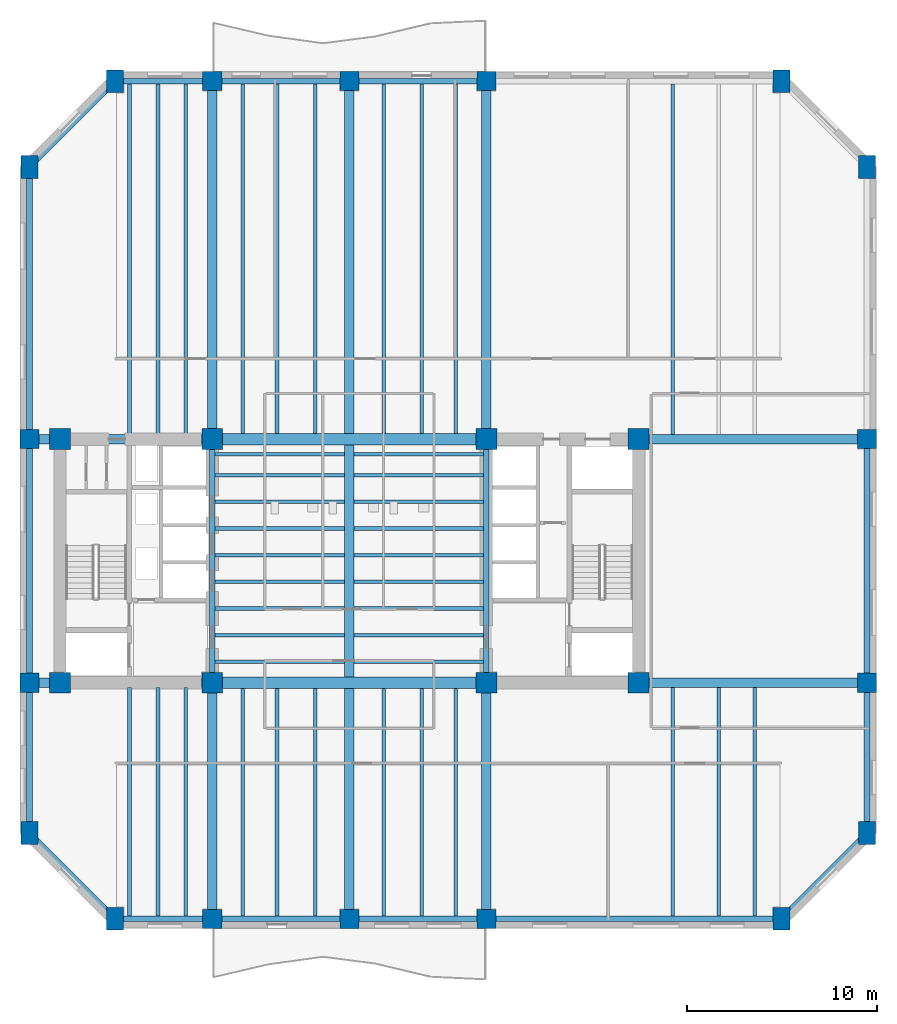
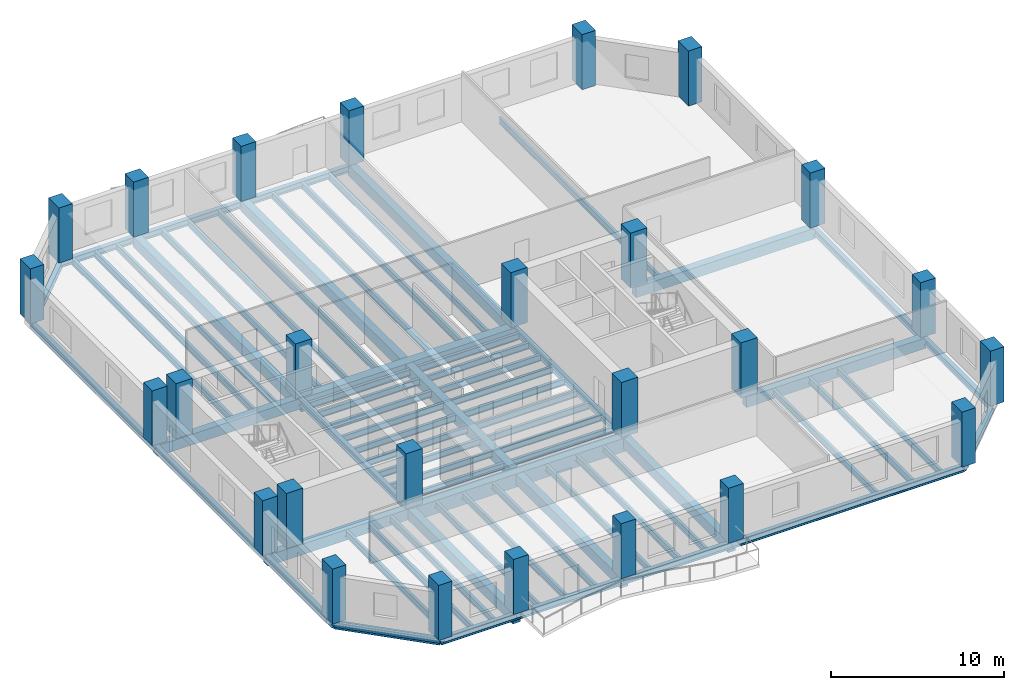
# One storey, part 1 of 8: 70 beams, 26 columns.
"""IFC4 building model written with IfcOpenShell, lengths in metres."""

import ifcopenshell
import ifcopenshell.guid

model = None  # the IFC model being written
_history = None  # IfcOwnerHistory: only IFC2X3 demands one
_inside = {}  # id of a spatial element -> (the spatial element, [elements in it])
_under = {}  # id of a project, library or spatial element -> (it, [spatial elements below it])
_declared = {}  # id of a project -> (the project, [libraries it declares])
_typed = {}  # id of a type object -> (the type object, [elements of that type])
_made_of = {}  # id of a material, layer set ... -> (it, [elements and type objects made of it])


def new_model(schema):
    """Start an empty IFC model of exactly this schema.

    Asked for "IFC4X3", IfcOpenShell would pick the latest addendum, in which some entities
    have other attributes; the version numbers below select the first issue.
    IFC2X3 requires an IfcOwnerHistory on every rooted entity: one is made here for all.
    """
    global model, _history
    if schema == "IFC4X3":
        model = ifcopenshell.file(schema_version=(4, 3, 0, 0))
    else:
        model = ifcopenshell.file(schema=schema)
    _inside.clear()
    _under.clear()
    _declared.clear()
    _typed.clear()
    _made_of.clear()
    _history = None
    if model.schema == "IFC2X3":
        org = make("IfcOrganization", Name="unknown")
        user = make(
            "IfcPersonAndOrganization",
            ThePerson=make("IfcPerson", FamilyName="unknown"),
            TheOrganization=org,
        )
        app = make(
            "IfcApplication",
            ApplicationDeveloper=org,
            Version="unknown",
            ApplicationFullName="unknown",
            ApplicationIdentifier="unknown",
        )
        _history = make(
            "IfcOwnerHistory",
            OwningUser=user,
            OwningApplication=app,
            ChangeAction="ADDED",
            CreationDate=0,
        )
    return model


def make(cls, **values):
    """One entity of the class cls with the attributes given. An attribute that is None is left unset."""
    return model.create_entity(
        cls, **{name: value for name, value in values.items() if value is not None}
    )


def rooted(cls, **values):
    """An entity with a GlobalId (a new one), such as an element, a storey or a relation."""
    return make(cls, GlobalId=ifcopenshell.guid.new(), OwnerHistory=_history, **values)


def si_unit(unit_type, name, prefix=None):
    """IfcSIUnit, for example si_unit("LENGTHUNIT", "METRE", prefix="MILLI")."""
    return make("IfcSIUnit", UnitType=unit_type, Prefix=prefix, Name=name)


def assignment(units):
    """IfcUnitAssignment: the units of a project."""
    return None if units is None else make("IfcUnitAssignment", Units=units)


def point(xyz):
    """IfcCartesianPoint."""
    return None if xyz is None else make("IfcCartesianPoint", Coordinates=xyz)


def direction(xyz):
    """IfcDirection."""
    return None if xyz is None else make("IfcDirection", DirectionRatios=xyz)


def frame(location, z_axis=None, x_axis=None):
    """IfcAxis2Placement3D, a coordinate frame: its origin and axes. An axis left out is left unset."""
    return make(
        "IfcAxis2Placement3D",
        Location=point(location),
        Axis=direction(z_axis),
        RefDirection=direction(x_axis),
    )


def frame_2d(location, x_axis=None):
    """IfcAxis2Placement2D, a coordinate frame in the plane: its origin and x axis."""
    return make(
        "IfcAxis2Placement2D", Location=point(location), RefDirection=direction(x_axis)
    )


def origin():
    """The frame at (0, 0, 0) with its axes left unset."""
    return frame((0.0, 0.0, 0.0))


def origin_2d():
    """The frame at (0, 0) in the plane with its x axis left unset."""
    return frame_2d((0.0, 0.0))


def place(relative_to, where):
    """IfcLocalPlacement: puts the frame where relative to a parent placement (None: the world)."""
    return make(
        "IfcLocalPlacement", PlacementRelTo=relative_to, RelativePlacement=where
    )


def context(
    kind, dimensions, precision=None, world=None, true_north=None, identifier=None
):
    """IfcGeometricRepresentationContext, for example the 3D "Model" context."""
    return make(
        "IfcGeometricRepresentationContext",
        ContextIdentifier=identifier,
        ContextType=kind,
        CoordinateSpaceDimension=dimensions,
        Precision=precision,
        WorldCoordinateSystem=world,
        TrueNorth=true_north,
    )


def subcontext(parent, identifier, kind, view, scale=None):
    """IfcGeometricRepresentationSubContext, for example "Body" below "Model"."""
    return make(
        "IfcGeometricRepresentationSubContext",
        ContextIdentifier=identifier,
        ContextType=kind,
        ParentContext=parent,
        TargetScale=scale,
        TargetView=view,
    )


def project(units=None, contexts=None):
    """IfcProject with its units and contexts."""
    return rooted(
        "IfcProject",
        Name="project",
        RepresentationContexts=contexts,
        UnitsInContext=assignment(units),
    )


def spatial(cls, under=None, at=None, **own):
    """A site, building, storey or space (cls), placed at a placement, below another one or the project."""
    s = rooted(cls, ObjectPlacement=at, **own)
    if under is not None:
        _under.setdefault(under.id(), (under, []))[1].append(s)
    return s


def profile(cls, at=None, kind="AREA", **sizes):
    """A parametric profile (cls). Its sizes go by their IFC names, for example OverallWidth=200.0."""
    return make(cls, ProfileType=kind, Position=at, **sizes)


def rectangle(**sizes):
    """IfcRectangleProfileDef."""
    return profile("IfcRectangleProfileDef", **sizes)


def i_section(**sizes):
    """IfcIShapeProfileDef."""
    return profile("IfcIShapeProfileDef", **sizes)


def extrude(swept, where, along, depth):
    """IfcExtrudedAreaSolid: the profile swept, set in the frame where, extruded along a direction by depth."""
    return make(
        "IfcExtrudedAreaSolid",
        SweptArea=swept,
        Position=where,
        ExtrudedDirection=direction(along),
        Depth=depth,
    )


def shape(context_of_items, identifier, shape_type, items):
    """IfcShapeRepresentation: the items that make up one representation, for example the "Body"."""
    return make(
        "IfcShapeRepresentation",
        ContextOfItems=context_of_items,
        RepresentationIdentifier=identifier,
        RepresentationType=shape_type,
        Items=items,
    )


def material(Name=None, Category=None):
    """IfcMaterial."""
    return make("IfcMaterial", Name=Name, Category=Category)


def material_profile(
    of_material, cross_section, Name=None, Category=None, Priority=None
):
    """IfcMaterialProfile: a cross section and its material."""
    return make(
        "IfcMaterialProfile",
        Name=Name,
        Material=of_material,
        Profile=cross_section,
        Priority=Priority,
        Category=Category,
    )


def profile_set(profiles, Name=None, composite=None):
    """IfcMaterialProfileSet."""
    return make(
        "IfcMaterialProfileSet",
        Name=Name,
        MaterialProfiles=profiles,
        CompositeProfile=composite,
    )


def made_of(thing, what):
    """Note that an element or type object is made of a material, layer set ...; save() writes the relation."""
    if what is not None:
        _made_of.setdefault(what.id(), (what, []))[1].append(thing)
    return thing


def type_object(cls, material=None, **own):
    """A type object (cls), such as IfcWallType, which elements share."""
    return made_of(rooted(cls, **own), material)


def element(
    cls,
    number,
    at=None,
    inside=None,
    cuts=None,
    type_object=None,
    material=None,
    context=None,
    identifier="Body",
    shape_type=None,
    held_by="IfcProductDefinitionShape",
    body=None,
    shapes=None,
    **own,
):
    """One element of the class cls, such as IfcWall. Its Tag is "e" and its number.

    at: its placement. inside: the storey or other place that contains it. cuts: it is an
    opening in that element (IfcRelVoidsElement). A single representation is given by context,
    identifier, shape_type and body (its items); several are given by shapes. held_by: the class
    of the entity that holds the representations. save() writes the other relations.
    """
    e = rooted(cls, Tag="e%d" % number, ObjectPlacement=at, **own)
    if body is not None:
        shapes = [shape(context, identifier, shape_type, body)]
    if shapes is not None:
        e.Representation = make(held_by, Representations=shapes)
    if inside is not None:
        _inside.setdefault(inside.id(), (inside, []))[1].append(e)
    if cuts is not None:
        rooted(
            "IfcRelVoidsElement", RelatingBuildingElement=cuts, RelatedOpeningElement=e
        )
    if type_object is not None:
        _typed.setdefault(type_object.id(), (type_object, []))[1].append(e)
    return made_of(e, material)


def aggregate(whole, parts):
    """IfcRelAggregates: a whole, such as a stair, and the parts it consists of."""
    return rooted("IfcRelAggregates", RelatingObject=whole, RelatedObjects=parts)


def save(model, path):
    """Write the relations noted so far, then the file.

    IfcRelAggregates (storeys below a building ...), IfcRelContainedInSpatialStructure (elements
    in a storey), IfcRelDefinesByType, IfcRelAssociatesMaterial and IfcRelDeclares: one each for
    every whole, place, type object, material and project.
    """
    for whole, parts in _under.values():
        aggregate(whole, parts)
    for where, things in _inside.values():
        rooted(
            "IfcRelContainedInSpatialStructure",
            RelatedElements=things,
            RelatingStructure=where,
        )
    for kind, things in _typed.values():
        rooted("IfcRelDefinesByType", RelatedObjects=things, RelatingType=kind)
    for what, things in _made_of.values():
        rooted("IfcRelAssociatesMaterial", RelatedObjects=things, RelatingMaterial=what)
    for by, libraries in _declared.values():
        rooted("IfcRelDeclares", RelatingContext=by, RelatedDefinitions=libraries)
    model.write(path)


model = new_model("IFC4")

# Units and contexts
model_context = context("Model", 3, precision=1e-05, world=origin(), true_north=direction((0.0, 1.0)))
body_context = subcontext(model_context, "Body", "Model", "MODEL_VIEW")
ifc_project = project(units=[si_unit("LENGTHUNIT", "METRE"), si_unit("AREAUNIT", "SQUARE_METRE"), si_unit("VOLUMEUNIT", "CUBIC_METRE"), si_unit("PLANEANGLEUNIT", "RADIAN"), si_unit("MASSUNIT", "GRAM", prefix="KILO")], contexts=[model_context])

# Site, building, storey
site_placement = place(None, origin())
site = spatial("IfcSite", under=ifc_project, at=site_placement, CompositionType="ELEMENT")
building_placement = place(site_placement, origin())
building = spatial("IfcBuilding", under=site, at=building_placement, Name="Kranthara Brick Stack", CompositionType="ELEMENT")
storey_placement = place(building_placement, frame((0.0, 0.0, 75.0)))
storey = spatial("IfcBuildingStorey", under=building, at=storey_placement, Name="L18", CompositionType="ELEMENT", Elevation=75.0)

# Columns
ifc_material_1 = material(Name="Concrete C70/85", Category="concrete")
ifc_material_profile_1 = material_profile(ifc_material_1, rectangle(XDim=0.89990234375, YDim=1.199951171875, at=origin_2d()), Name="RC 900x1200")
ifc_profile_set_1 = profile_set([ifc_material_profile_1], Name="Concrete C70/85")
column_type_1 = type_object("IfcColumnType", Name="COL-CHAM-900x1200", PredefinedType="COLUMN", material=ifc_profile_set_1)
for number, where, z_axis, x_axis, name in (
    (1, (15.699951171875, 8.39990234375, 0.0), (0.0, 0.0, 1.0), (1.0, 0.0, 0.0), "L18 Column 09"),
    (2, (15.699951171875, 52.39990234375, 0.0), (0.0, 0.0, 1.0), (1.0, 0.0, 0.0), "L18 Column 10"),
    (3, (50.699951171875, 8.39990234375, 0.0), (0.0, 0.0, 1.0), (1.0, 0.0, 0.0), "L18 Column 17"),
    (4, (50.699951171875, 52.39990234375, 0.0), (0.0, 0.0, 1.0), (1.0, 0.0, 0.0), "L18 Column 18"),
    (5, (11.199951171875, 12.89990234375, 0.0), (0.0, 0.0, 1.0), (1.0, 0.0, 0.0), "L18 Column 19"),
    (6, (55.199951171875, 12.89990234375, 0.0), (0.0, 0.0, 1.0), (1.0, 0.0, 0.0), "L18 Column 20"),
    (7, (11.199951171875, 47.89990234375, 0.0), (0.0, 0.0, 1.0), (1.0, 0.0, 0.0), "L18 Column 25"),
    (8, (55.199951171875, 47.89990234375, 0.0), (0.0, 0.0, 1.0), (1.0, 0.0, 0.0), "L18 Column 26"),
):
    element("IfcColumn", number, at=place(storey_placement, frame(where, z_axis=z_axis, x_axis=x_axis)), inside=storey, type_object=column_type_1, Name=name, PredefinedType="COLUMN", context=body_context, shape_type="SweptSolid", body=[
        extrude(rectangle(XDim=0.89990234375, YDim=1.199951171875, at=origin_2d()), origin(), (0.0, 0.0, 1.0), 3.89990234375),
    ])
ifc_material_2 = material(Name="Concrete C70/85", Category="concrete")
ifc_material_profile_2 = material_profile(ifc_material_2, rectangle(XDim=1.10009765625, YDim=1.10009765625, at=origin_2d()), Name="RC 1100x1100")
ifc_profile_set_2 = profile_set([ifc_material_profile_2], Name="Concrete C70/85")
column_type_2 = type_object("IfcColumnType", Name="COL-CORE-1100", PredefinedType="COLUMN", material=ifc_profile_set_2)
for number, where, z_axis, x_axis, name in (
    (9, (12.800048828125, 20.800048828125, 0.0), (0.0, 0.0, 1.0), (1.0, 0.0, 0.0), "L18 Column 01"),
    (10, (20.800048828125, 20.800048828125, 0.0), (0.0, 0.0, 1.0), (1.0, 0.0, 0.0), "L18 Column 02"),
    (11, (12.800048828125, 33.60009765625, 0.0), (0.0, 0.0, 1.0), (1.0, 0.0, 0.0), "L18 Column 03"),
    (12, (20.800048828125, 33.60009765625, 0.0), (0.0, 0.0, 1.0), (1.0, 0.0, 0.0), "L18 Column 04"),
    (13, (35.199951171875, 20.800048828125, 0.0), (0.0, 0.0, 1.0), (1.0, 0.0, 0.0), "L18 Column 05"),
    (14, (43.199951171875, 20.800048828125, 0.0), (0.0, 0.0, 1.0), (1.0, 0.0, 0.0), "L18 Column 06"),
    (15, (35.199951171875, 33.60009765625, 0.0), (0.0, 0.0, 1.0), (1.0, 0.0, 0.0), "L18 Column 07"),
    (16, (43.199951171875, 33.60009765625, 0.0), (0.0, 0.0, 1.0), (1.0, 0.0, 0.0), "L18 Column 08"),
):
    element("IfcColumn", number, at=place(storey_placement, frame(where, z_axis=z_axis, x_axis=x_axis)), inside=storey, type_object=column_type_2, Name=name, PredefinedType="COLUMN", context=body_context, shape_type="SweptSolid", body=[
        extrude(rectangle(XDim=1.10009765625, YDim=1.10009765625, at=origin_2d()), origin(), (0.0, 0.0, 1.0), 3.89990234375),
    ])
ifc_material_3 = material(Name="Concrete C60/75", Category="concrete")
ifc_material_profile_3 = material_profile(ifc_material_3, rectangle(XDim=1.0, YDim=1.0, at=origin_2d()), Name="RC 1000x1000")
ifc_profile_set_3 = profile_set([ifc_material_profile_3], Name="Concrete C60/75")
column_type_3 = type_object("IfcColumnType", Name="COL-PER-1000", PredefinedType="COLUMN", material=ifc_profile_set_3)
for number, where, z_axis, x_axis, name in (
    (17, (20.800048828125, 8.39990234375, 0.0), (0.0, 0.0, 1.0), (1.0, 0.0, 0.0), "L18 Column 11"),
    (18, (20.800048828125, 52.39990234375, 0.0), (0.0, 0.0, 1.0), (1.0, 0.0, 0.0), "L18 Column 12"),
    (19, (28.0, 8.39990234375, 0.0), (0.0, 0.0, 1.0), (1.0, 0.0, 0.0), "L18 Column 13"),
    (20, (28.0, 52.39990234375, 0.0), (0.0, 0.0, 1.0), (1.0, 0.0, 0.0), "L18 Column 14"),
    (21, (35.199951171875, 8.39990234375, 0.0), (0.0, 0.0, 1.0), (1.0, 0.0, 0.0), "L18 Column 15"),
    (22, (35.199951171875, 52.39990234375, 0.0), (0.0, 0.0, 1.0), (1.0, 0.0, 0.0), "L18 Column 16"),
    (23, (11.199951171875, 20.800048828125, 0.0), (0.0, 0.0, 1.0), (1.0, 0.0, 0.0), "L18 Column 21"),
    (24, (55.199951171875, 20.800048828125, 0.0), (0.0, 0.0, 1.0), (1.0, 0.0, 0.0), "L18 Column 22"),
    (25, (11.199951171875, 33.60009765625, 0.0), (0.0, 0.0, 1.0), (1.0, 0.0, 0.0), "L18 Column 23"),
    (26, (55.199951171875, 33.60009765625, 0.0), (0.0, 0.0, 1.0), (1.0, 0.0, 0.0), "L18 Column 24"),
):
    element("IfcColumn", number, at=place(storey_placement, frame(where, z_axis=z_axis, x_axis=x_axis)), inside=storey, type_object=column_type_3, Name=name, PredefinedType="COLUMN", context=body_context, shape_type="SweptSolid", body=[
        extrude(rectangle(XDim=1.0, YDim=1.0, at=origin_2d()), origin(), (0.0, 0.0, 1.0), 3.89990234375),
    ])

# Beams
ifc_material_4 = material(Name="Concrete C60/75", Category="concrete")
ifc_material_profile_4 = material_profile(ifc_material_4, rectangle(XDim=0.60009765625, YDim=0.949951171875, at=origin_2d()), Name="RC 600x950")
ifc_profile_set_4 = profile_set([ifc_material_profile_4], Name="Concrete C60/75")
beam_type_1 = type_object("IfcBeamType", Name="BM-CPL-RC950", PredefinedType="LINTEL", material=ifc_profile_set_4)
for number, where, z_axis, x_axis, name in (
    (27, (20.800048828125, 20.800048828125, -0.77490234375), (1.0, 0.0, 0.0), (0.0, 1.0, 0.0), "L18 Core Coupling Beam 001"),
    (28, (20.800048828125, 33.60009765625, -0.77490234375), (1.0, 0.0, 0.0), (0.0, 1.0, 0.0), "L18 Core Coupling Beam 002"),
):
    element("IfcBeam", number, at=place(storey_placement, frame(where, z_axis=z_axis, x_axis=x_axis)), inside=storey, type_object=beam_type_1, Name=name, PredefinedType="LINTEL", context=body_context, shape_type="SweptSolid", body=[
        extrude(rectangle(XDim=0.60009765625, YDim=0.949951171875, at=origin_2d()), origin(), (0.0, 0.0, 1.0), 14.39990234375),
    ])
ifc_material_5 = material(Name="Post-tensioned concrete C45/55", Category="concrete")
ifc_material_profile_5 = material_profile(ifc_material_5, rectangle(XDim=0.5, YDim=0.75, at=origin_2d()), Name="PT 500x750")
ifc_profile_set_5 = profile_set([ifc_material_profile_5], Name="Post-tensioned concrete C45/55")
beam_type_2 = type_object("IfcBeamType", Name="BM-FLR-PT750", PredefinedType="BEAM", material=ifc_profile_set_5)
beam_1_placement = place(storey_placement, frame((20.800048828125, 8.39990234375, -0.675048828125), z_axis=(0.0, 1.0, 0.0), x_axis=(-1.0, 0.0, 0.0)))
element("IfcBeam", 29, at=beam_1_placement, inside=storey, type_object=beam_type_2, Name="L18 Primary Grid Girder 023", PredefinedType="BEAM", context=body_context, shape_type="SweptSolid", body=[
    extrude(rectangle(XDim=0.5, YDim=0.75, at=origin_2d()), origin(), (0.0, 0.0, 1.0), 12.400146484375),
])
beam_2_placement = place(storey_placement, frame((20.800048828125, 33.60009765625, -0.675048828125), z_axis=(0.0, 1.0, 0.0), x_axis=(-1.0, 0.0, 0.0)))
element("IfcBeam", 30, at=beam_2_placement, inside=storey, type_object=beam_type_2, Name="L18 Primary Grid Girder 024", PredefinedType="BEAM", context=body_context, shape_type="SweptSolid", body=[
    extrude(rectangle(XDim=0.5, YDim=0.75, at=origin_2d()), origin(), (0.0, 0.0, 1.0), 18.7998046875),
])
beam_3_placement = place(storey_placement, frame((28.0, 8.39990234375, -0.675048828125), z_axis=(0.0, 1.0, 0.0), x_axis=(-1.0, 0.0, 0.0)))
element("IfcBeam", 31, at=beam_3_placement, inside=storey, type_object=beam_type_2, Name="L18 Primary Grid Girder 025", PredefinedType="BEAM", context=body_context, shape_type="SweptSolid", body=[
    extrude(rectangle(XDim=0.5, YDim=0.75, at=origin_2d()), origin(), (0.0, 0.0, 1.0), 12.10009765625),
])
beam_4_placement = place(storey_placement, frame((28.0, 21.10009765625, -0.675048828125), z_axis=(0.0, 1.0, 0.0), x_axis=(-1.0, 0.0, 0.0)))
element("IfcBeam", 32, at=beam_4_placement, inside=storey, type_object=beam_type_2, Name="L18 Central Spine Girder 026", PredefinedType="BEAM", context=body_context, shape_type="SweptSolid", body=[
    extrude(rectangle(XDim=0.5, YDim=0.75, at=origin_2d()), origin(), (0.0, 0.0, 1.0), 12.199951171875),
])
beam_5_placement = place(storey_placement, frame((28.0, 33.89990234375, -0.675048828125), z_axis=(0.0, 1.0, 0.0), x_axis=(-1.0, 0.0, 0.0)))
element("IfcBeam", 33, at=beam_5_placement, inside=storey, type_object=beam_type_2, Name="L18 Primary Grid Girder 027", PredefinedType="BEAM", context=body_context, shape_type="SweptSolid", body=[
    extrude(rectangle(XDim=0.5, YDim=0.75, at=origin_2d()), origin(), (0.0, 0.0, 1.0), 18.5),
])
beam_6_placement = place(storey_placement, frame((35.199951171875, 8.39990234375, -0.675048828125), z_axis=(0.0, 1.0, 0.0), x_axis=(-1.0, 0.0, 0.0)))
element("IfcBeam", 34, at=beam_6_placement, inside=storey, type_object=beam_type_2, Name="L18 Primary Grid Girder 028", PredefinedType="BEAM", context=body_context, shape_type="SweptSolid", body=[
    extrude(rectangle(XDim=0.5, YDim=0.75, at=origin_2d()), origin(), (0.0, 0.0, 1.0), 12.400146484375),
])
beam_7_placement = place(storey_placement, frame((35.199951171875, 33.60009765625, -0.675048828125), z_axis=(0.0, 1.0, 0.0), x_axis=(-1.0, 0.0, 0.0)))
element("IfcBeam", 35, at=beam_7_placement, inside=storey, type_object=beam_type_2, Name="L18 Primary Grid Girder 029", PredefinedType="BEAM", context=body_context, shape_type="SweptSolid", body=[
    extrude(rectangle(XDim=0.5, YDim=0.75, at=origin_2d()), origin(), (0.0, 0.0, 1.0), 18.7998046875),
])
beam_8_placement = place(storey_placement, frame((11.199951171875, 20.800048828125, -0.675048828125), z_axis=(1.0, 0.0, 0.0), x_axis=(0.0, 1.0, 0.0)))
element("IfcBeam", 36, at=beam_8_placement, inside=storey, type_object=beam_type_2, Name="L18 Primary Grid Girder 030", PredefinedType="BEAM", context=body_context, shape_type="SweptSolid", body=[
    extrude(rectangle(XDim=0.5, YDim=0.75, at=origin_2d()), origin(), (0.0, 0.0, 1.0), 9.60009765625),
])
beam_9_placement = place(storey_placement, frame((43.199951171875, 20.800048828125, -0.675048828125), z_axis=(1.0, 0.0, 0.0), x_axis=(0.0, 1.0, 0.0)))
element("IfcBeam", 37, at=beam_9_placement, inside=storey, type_object=beam_type_2, Name="L18 Primary Grid Girder 031", PredefinedType="BEAM", context=body_context, shape_type="SweptSolid", body=[
    extrude(rectangle(XDim=0.5, YDim=0.75, at=origin_2d()), origin(), (0.0, 0.0, 1.0), 12.0),
])
beam_10_placement = place(storey_placement, frame((11.199951171875, 33.60009765625, -0.675048828125), z_axis=(1.0, 0.0, 0.0), x_axis=(0.0, 1.0, 0.0)))
element("IfcBeam", 38, at=beam_10_placement, inside=storey, type_object=beam_type_2, Name="L18 Primary Grid Girder 032", PredefinedType="BEAM", context=body_context, shape_type="SweptSolid", body=[
    extrude(rectangle(XDim=0.5, YDim=0.75, at=origin_2d()), origin(), (0.0, 0.0, 1.0), 9.60009765625),
])
beam_11_placement = place(storey_placement, frame((43.199951171875, 33.60009765625, -0.675048828125), z_axis=(1.0, 0.0, 0.0), x_axis=(0.0, 1.0, 0.0)))
element("IfcBeam", 39, at=beam_11_placement, inside=storey, type_object=beam_type_2, Name="L18 Primary Grid Girder 033", PredefinedType="BEAM", context=body_context, shape_type="SweptSolid", body=[
    extrude(rectangle(XDim=0.5, YDim=0.75, at=origin_2d()), origin(), (0.0, 0.0, 1.0), 12.0),
])
ifc_material_6 = material(Name="Steel S355", Category="steel")
ifc_material_profile_6 = material_profile(ifc_material_6, i_section(OverallWidth=0.18994140625, OverallDepth=0.449951171875, WebThickness=0.009521484375, FlangeThickness=0.0146484375, at=origin_2d()), Name="IPE 450")
ifc_profile_set_6 = profile_set([ifc_material_profile_6], Name="Steel S355")
beam_type_3 = type_object("IfcBeamType", Name="BM-JST-IPE450", PredefinedType="JOIST", material=ifc_profile_set_6)
for number, where, z_axis, x_axis, name in (
    (40, (20.949951171875, 21.89990234375, -0.52490234375), (1.0, 0.0, 0.0), (0.0, 1.0, 0.0), "L18 Central Floor Joist 034"),
    (41, (28.25, 21.89990234375, -0.52490234375), (1.0, 0.0, 0.0), (0.0, 1.0, 0.0), "L18 Central Floor Joist 035"),
    (42, (20.949951171875, 23.300048828125, -0.52490234375), (1.0, 0.0, 0.0), (0.0, 1.0, 0.0), "L18 Central Floor Joist 036"),
    (43, (28.25, 23.300048828125, -0.52490234375), (1.0, 0.0, 0.0), (0.0, 1.0, 0.0), "L18 Central Floor Joist 037"),
    (44, (20.949951171875, 24.699951171875, -0.52490234375), (1.0, 0.0, 0.0), (0.0, 1.0, 0.0), "L18 Central Floor Joist 038"),
    (45, (28.25, 24.699951171875, -0.52490234375), (1.0, 0.0, 0.0), (0.0, 1.0, 0.0), "L18 Central Floor Joist 039"),
    (46, (20.949951171875, 26.10009765625, -0.52490234375), (1.0, 0.0, 0.0), (0.0, 1.0, 0.0), "L18 Central Floor Joist 040"),
    (47, (28.25, 26.10009765625, -0.52490234375), (1.0, 0.0, 0.0), (0.0, 1.0, 0.0), "L18 Central Floor Joist 041"),
    (48, (20.949951171875, 27.5, -0.52490234375), (1.0, 0.0, 0.0), (0.0, 1.0, 0.0), "L18 Central Floor Joist 042"),
    (49, (28.25, 27.5, -0.52490234375), (1.0, 0.0, 0.0), (0.0, 1.0, 0.0), "L18 Central Floor Joist 043"),
    (50, (20.949951171875, 28.89990234375, -0.52490234375), (1.0, 0.0, 0.0), (0.0, 1.0, 0.0), "L18 Central Floor Joist 044"),
    (51, (28.25, 28.89990234375, -0.52490234375), (1.0, 0.0, 0.0), (0.0, 1.0, 0.0), "L18 Central Floor Joist 045"),
    (52, (20.949951171875, 30.300048828125, -0.52490234375), (1.0, 0.0, 0.0), (0.0, 1.0, 0.0), "L18 Central Floor Joist 046"),
    (53, (28.25, 30.300048828125, -0.52490234375), (1.0, 0.0, 0.0), (0.0, 1.0, 0.0), "L18 Central Floor Joist 047"),
    (54, (20.949951171875, 31.699951171875, -0.52490234375), (1.0, 0.0, 0.0), (0.0, 1.0, 0.0), "L18 Central Floor Joist 048"),
    (55, (28.25, 31.699951171875, -0.52490234375), (1.0, 0.0, 0.0), (0.0, 1.0, 0.0), "L18 Central Floor Joist 049"),
    (56, (20.949951171875, 32.800048828125, -0.52490234375), (1.0, 0.0, 0.0), (0.0, 1.0, 0.0), "L18 Central Floor Joist 050"),
    (57, (28.25, 32.800048828125, -0.52490234375), (1.0, 0.0, 0.0), (0.0, 1.0, 0.0), "L18 Central Floor Joist 051"),
):
    element("IfcBeam", number, at=place(storey_placement, frame(where, z_axis=z_axis, x_axis=x_axis)), inside=storey, type_object=beam_type_3, Name=name, PredefinedType="JOIST", context=body_context, shape_type="SweptSolid", body=[
        extrude(i_section(OverallWidth=0.18994140625, OverallDepth=0.449951171875, WebThickness=0.009521484375, FlangeThickness=0.0146484375, at=origin_2d()), origin(), (0.0, 0.0, 1.0), 6.800048828125),
    ])
beam_12_placement = place(storey_placement, frame((16.449951171875, 8.550048828125, -0.52490234375), z_axis=(0.0, 1.0, 0.0), x_axis=(-1.0, 0.0, 0.0)))
element("IfcBeam", 58, at=beam_12_placement, inside=storey, type_object=beam_type_3, Name="L18 South Wing Floor Joist 052", PredefinedType="JOIST", context=body_context, shape_type="SweptSolid", body=[
    extrude(i_section(OverallWidth=0.18994140625, OverallDepth=0.449951171875, WebThickness=0.009521484375, FlangeThickness=0.0146484375, at=origin_2d()), origin(), (0.0, 0.0, 1.0), 12.0),
])
beam_13_placement = place(storey_placement, frame((16.449951171875, 33.85009765625, -0.52490234375), z_axis=(0.0, 1.0, 0.0), x_axis=(-1.0, 0.0, 0.0)))
element("IfcBeam", 59, at=beam_13_placement, inside=storey, type_object=beam_type_3, Name="L18 North Wing Floor Joist 053", PredefinedType="JOIST", context=body_context, shape_type="SweptSolid", body=[
    extrude(i_section(OverallWidth=0.18994140625, OverallDepth=0.449951171875, WebThickness=0.009521484375, FlangeThickness=0.0146484375, at=origin_2d()), origin(), (0.0, 0.0, 1.0), 18.39990234375),
])
beam_14_placement = place(storey_placement, frame((17.949951171875, 8.550048828125, -0.52490234375), z_axis=(0.0, 1.0, 0.0), x_axis=(-1.0, 0.0, 0.0)))
element("IfcBeam", 60, at=beam_14_placement, inside=storey, type_object=beam_type_3, Name="L18 South Wing Floor Joist 054", PredefinedType="JOIST", context=body_context, shape_type="SweptSolid", body=[
    extrude(i_section(OverallWidth=0.18994140625, OverallDepth=0.449951171875, WebThickness=0.009521484375, FlangeThickness=0.0146484375, at=origin_2d()), origin(), (0.0, 0.0, 1.0), 12.0),
])
beam_15_placement = place(storey_placement, frame((17.949951171875, 33.85009765625, -0.52490234375), z_axis=(0.0, 1.0, 0.0), x_axis=(-1.0, 0.0, 0.0)))
element("IfcBeam", 61, at=beam_15_placement, inside=storey, type_object=beam_type_3, Name="L18 North Wing Floor Joist 055", PredefinedType="JOIST", context=body_context, shape_type="SweptSolid", body=[
    extrude(i_section(OverallWidth=0.18994140625, OverallDepth=0.449951171875, WebThickness=0.009521484375, FlangeThickness=0.0146484375, at=origin_2d()), origin(), (0.0, 0.0, 1.0), 18.39990234375),
])
beam_16_placement = place(storey_placement, frame((19.39990234375, 8.550048828125, -0.52490234375), z_axis=(0.0, 1.0, 0.0), x_axis=(-1.0, 0.0, 0.0)))
element("IfcBeam", 62, at=beam_16_placement, inside=storey, type_object=beam_type_3, Name="L18 South Wing Floor Joist 056", PredefinedType="JOIST", context=body_context, shape_type="SweptSolid", body=[
    extrude(i_section(OverallWidth=0.18994140625, OverallDepth=0.449951171875, WebThickness=0.009521484375, FlangeThickness=0.0146484375, at=origin_2d()), origin(), (0.0, 0.0, 1.0), 12.0),
])
beam_17_placement = place(storey_placement, frame((19.39990234375, 33.85009765625, -0.52490234375), z_axis=(0.0, 1.0, 0.0), x_axis=(-1.0, 0.0, 0.0)))
element("IfcBeam", 63, at=beam_17_placement, inside=storey, type_object=beam_type_3, Name="L18 North Wing Floor Joist 057", PredefinedType="JOIST", context=body_context, shape_type="SweptSolid", body=[
    extrude(i_section(OverallWidth=0.18994140625, OverallDepth=0.449951171875, WebThickness=0.009521484375, FlangeThickness=0.0146484375, at=origin_2d()), origin(), (0.0, 0.0, 1.0), 18.39990234375),
])
beam_18_placement = place(storey_placement, frame((22.39990234375, 8.550048828125, -0.52490234375), z_axis=(0.0, 1.0, 0.0), x_axis=(-1.0, 0.0, 0.0)))
element("IfcBeam", 64, at=beam_18_placement, inside=storey, type_object=beam_type_3, Name="L18 South Wing Floor Joist 058", PredefinedType="JOIST", context=body_context, shape_type="SweptSolid", body=[
    extrude(i_section(OverallWidth=0.18994140625, OverallDepth=0.449951171875, WebThickness=0.009521484375, FlangeThickness=0.0146484375, at=origin_2d()), origin(), (0.0, 0.0, 1.0), 11.949951171875),
])
beam_19_placement = place(storey_placement, frame((22.39990234375, 33.89990234375, -0.52490234375), z_axis=(0.0, 1.0, 0.0), x_axis=(-1.0, 0.0, 0.0)))
element("IfcBeam", 65, at=beam_19_placement, inside=storey, type_object=beam_type_3, Name="L18 North Wing Floor Joist 059", PredefinedType="JOIST", context=body_context, shape_type="SweptSolid", body=[
    extrude(i_section(OverallWidth=0.18994140625, OverallDepth=0.449951171875, WebThickness=0.009521484375, FlangeThickness=0.0146484375, at=origin_2d()), origin(), (0.0, 0.0, 1.0), 18.35009765625),
])
beam_20_placement = place(storey_placement, frame((24.199951171875, 8.550048828125, -0.52490234375), z_axis=(0.0, 1.0, 0.0), x_axis=(-1.0, 0.0, 0.0)))
element("IfcBeam", 66, at=beam_20_placement, inside=storey, type_object=beam_type_3, Name="L18 South Wing Floor Joist 060", PredefinedType="JOIST", context=body_context, shape_type="SweptSolid", body=[
    extrude(i_section(OverallWidth=0.18994140625, OverallDepth=0.449951171875, WebThickness=0.009521484375, FlangeThickness=0.0146484375, at=origin_2d()), origin(), (0.0, 0.0, 1.0), 11.949951171875),
])
beam_21_placement = place(storey_placement, frame((24.199951171875, 33.89990234375, -0.52490234375), z_axis=(0.0, 1.0, 0.0), x_axis=(-1.0, 0.0, 0.0)))
element("IfcBeam", 67, at=beam_21_placement, inside=storey, type_object=beam_type_3, Name="L18 North Wing Floor Joist 061", PredefinedType="JOIST", context=body_context, shape_type="SweptSolid", body=[
    extrude(i_section(OverallWidth=0.18994140625, OverallDepth=0.449951171875, WebThickness=0.009521484375, FlangeThickness=0.0146484375, at=origin_2d()), origin(), (0.0, 0.0, 1.0), 18.35009765625),
])
beam_22_placement = place(storey_placement, frame((26.199951171875, 8.550048828125, -0.52490234375), z_axis=(0.0, 1.0, 0.0), x_axis=(-1.0, 0.0, 0.0)))
element("IfcBeam", 68, at=beam_22_placement, inside=storey, type_object=beam_type_3, Name="L18 South Wing Floor Joist 062", PredefinedType="JOIST", context=body_context, shape_type="SweptSolid", body=[
    extrude(i_section(OverallWidth=0.18994140625, OverallDepth=0.449951171875, WebThickness=0.009521484375, FlangeThickness=0.0146484375, at=origin_2d()), origin(), (0.0, 0.0, 1.0), 11.949951171875),
])
beam_23_placement = place(storey_placement, frame((26.199951171875, 33.89990234375, -0.52490234375), z_axis=(0.0, 1.0, 0.0), x_axis=(-1.0, 0.0, 0.0)))
element("IfcBeam", 69, at=beam_23_placement, inside=storey, type_object=beam_type_3, Name="L18 North Wing Floor Joist 063", PredefinedType="JOIST", context=body_context, shape_type="SweptSolid", body=[
    extrude(i_section(OverallWidth=0.18994140625, OverallDepth=0.449951171875, WebThickness=0.009521484375, FlangeThickness=0.0146484375, at=origin_2d()), origin(), (0.0, 0.0, 1.0), 18.35009765625),
])
beam_24_placement = place(storey_placement, frame((29.800048828125, 8.550048828125, -0.52490234375), z_axis=(0.0, 1.0, 0.0), x_axis=(-1.0, 0.0, 0.0)))
element("IfcBeam", 70, at=beam_24_placement, inside=storey, type_object=beam_type_3, Name="L18 South Wing Floor Joist 064", PredefinedType="JOIST", context=body_context, shape_type="SweptSolid", body=[
    extrude(i_section(OverallWidth=0.18994140625, OverallDepth=0.449951171875, WebThickness=0.009521484375, FlangeThickness=0.0146484375, at=origin_2d()), origin(), (0.0, 0.0, 1.0), 11.949951171875),
])
beam_25_placement = place(storey_placement, frame((29.800048828125, 33.89990234375, -0.52490234375), z_axis=(0.0, 1.0, 0.0), x_axis=(-1.0, 0.0, 0.0)))
element("IfcBeam", 71, at=beam_25_placement, inside=storey, type_object=beam_type_3, Name="L18 North Wing Floor Joist 065", PredefinedType="JOIST", context=body_context, shape_type="SweptSolid", body=[
    extrude(i_section(OverallWidth=0.18994140625, OverallDepth=0.449951171875, WebThickness=0.009521484375, FlangeThickness=0.0146484375, at=origin_2d()), origin(), (0.0, 0.0, 1.0), 18.35009765625),
])
beam_26_placement = place(storey_placement, frame((31.800048828125, 8.550048828125, -0.52490234375), z_axis=(0.0, 1.0, 0.0), x_axis=(-1.0, 0.0, 0.0)))
element("IfcBeam", 72, at=beam_26_placement, inside=storey, type_object=beam_type_3, Name="L18 South Wing Floor Joist 066", PredefinedType="JOIST", context=body_context, shape_type="SweptSolid", body=[
    extrude(i_section(OverallWidth=0.18994140625, OverallDepth=0.449951171875, WebThickness=0.009521484375, FlangeThickness=0.0146484375, at=origin_2d()), origin(), (0.0, 0.0, 1.0), 11.949951171875),
])
beam_27_placement = place(storey_placement, frame((31.800048828125, 33.89990234375, -0.52490234375), z_axis=(0.0, 1.0, 0.0), x_axis=(-1.0, 0.0, 0.0)))
element("IfcBeam", 73, at=beam_27_placement, inside=storey, type_object=beam_type_3, Name="L18 North Wing Floor Joist 067", PredefinedType="JOIST", context=body_context, shape_type="SweptSolid", body=[
    extrude(i_section(OverallWidth=0.18994140625, OverallDepth=0.449951171875, WebThickness=0.009521484375, FlangeThickness=0.0146484375, at=origin_2d()), origin(), (0.0, 0.0, 1.0), 18.35009765625),
])
beam_28_placement = place(storey_placement, frame((33.60009765625, 8.550048828125, -0.52490234375), z_axis=(0.0, 1.0, 0.0), x_axis=(-1.0, 0.0, 0.0)))
element("IfcBeam", 74, at=beam_28_placement, inside=storey, type_object=beam_type_3, Name="L18 South Wing Floor Joist 068", PredefinedType="JOIST", context=body_context, shape_type="SweptSolid", body=[
    extrude(i_section(OverallWidth=0.18994140625, OverallDepth=0.449951171875, WebThickness=0.009521484375, FlangeThickness=0.0146484375, at=origin_2d()), origin(), (0.0, 0.0, 1.0), 11.949951171875),
])
beam_29_placement = place(storey_placement, frame((33.60009765625, 33.89990234375, -0.52490234375), z_axis=(0.0, 1.0, 0.0), x_axis=(-1.0, 0.0, 0.0)))
element("IfcBeam", 75, at=beam_29_placement, inside=storey, type_object=beam_type_3, Name="L18 North Wing Floor Joist 069", PredefinedType="JOIST", context=body_context, shape_type="SweptSolid", body=[
    extrude(i_section(OverallWidth=0.18994140625, OverallDepth=0.449951171875, WebThickness=0.009521484375, FlangeThickness=0.0146484375, at=origin_2d()), origin(), (0.0, 0.0, 1.0), 18.35009765625),
])
beam_30_placement = place(storey_placement, frame((45.0, 8.550048828125, -0.52490234375), z_axis=(0.0, 1.0, 0.0), x_axis=(-1.0, 0.0, 0.0)))
element("IfcBeam", 76, at=beam_30_placement, inside=storey, type_object=beam_type_3, Name="L18 South Wing Floor Joist 070", PredefinedType="JOIST", context=body_context, shape_type="SweptSolid", body=[
    extrude(i_section(OverallWidth=0.18994140625, OverallDepth=0.449951171875, WebThickness=0.009521484375, FlangeThickness=0.0146484375, at=origin_2d()), origin(), (0.0, 0.0, 1.0), 12.0),
])
beam_31_placement = place(storey_placement, frame((45.0, 33.85009765625, -0.52490234375), z_axis=(0.0, 1.0, 0.0), x_axis=(-1.0, 0.0, 0.0)))
element("IfcBeam", 77, at=beam_31_placement, inside=storey, type_object=beam_type_3, Name="L18 North Wing Floor Joist 071", PredefinedType="JOIST", context=body_context, shape_type="SweptSolid", body=[
    extrude(i_section(OverallWidth=0.18994140625, OverallDepth=0.449951171875, WebThickness=0.009521484375, FlangeThickness=0.0146484375, at=origin_2d()), origin(), (0.0, 0.0, 1.0), 18.39990234375),
])
for number, where, z_axis, x_axis, name in (
    (78, (47.39990234375, 8.550048828125, -0.52490234375), (0.0, 1.0, 0.0), (-1.0, 0.0, 0.0), "L18 South Wing Floor Joist 072"),
    (79, (49.300048828125, 8.550048828125, -0.52490234375), (0.0, 1.0, 0.0), (-1.0, 0.0, 0.0), "L18 South Wing Floor Joist 074"),
):
    element("IfcBeam", number, at=place(storey_placement, frame(where, z_axis=z_axis, x_axis=x_axis)), inside=storey, type_object=beam_type_3, Name=name, PredefinedType="JOIST", context=body_context, shape_type="SweptSolid", body=[
        extrude(i_section(OverallWidth=0.18994140625, OverallDepth=0.449951171875, WebThickness=0.009521484375, FlangeThickness=0.0146484375, at=origin_2d()), origin(), (0.0, 0.0, 1.0), 12.0),
    ])
ifc_material_7 = material(Name="Steel S355", Category="steel")
ifc_material_profile_7 = material_profile(ifc_material_7, i_section(OverallWidth=0.300048828125, OverallDepth=0.449951171875, WebThickness=0.013916015625, FlangeThickness=0.02587890625, at=origin_2d()), Name="HEB 450")
ifc_profile_set_7 = profile_set([ifc_material_profile_7], Name="Steel S355")
beam_type_4 = type_object("IfcBeamType", Name="BM-STL-HEB450", PredefinedType="SPANDREL", material=ifc_profile_set_7)
for number, where, z_axis, x_axis, name in (
    (80, (20.800048828125, 20.800048828125, -0.52490234375), (0.0, 1.0, 0.0), (-1.0, 0.0, 0.0), "L18 Core Edge Tie Beam 003"),
    (81, (35.199951171875, 20.800048828125, -0.52490234375), (0.0, 1.0, 0.0), (-1.0, 0.0, 0.0), "L18 Core Edge Tie Beam 004"),
):
    element("IfcBeam", number, at=place(storey_placement, frame(where, z_axis=z_axis, x_axis=x_axis)), inside=storey, type_object=beam_type_4, Name=name, PredefinedType="SPANDREL", context=body_context, shape_type="SweptSolid", body=[
        extrude(i_section(OverallWidth=0.300048828125, OverallDepth=0.449951171875, WebThickness=0.013916015625, FlangeThickness=0.02587890625, at=origin_2d()), origin(), (0.0, 0.0, 1.0), 12.800048828125),
    ])
beam_32_placement = place(storey_placement, frame((15.699951171875, 8.39990234375, -0.52490234375), z_axis=(1.0, 0.0, 0.0), x_axis=(0.0, 1.0, 0.0)))
element("IfcBeam", 82, at=beam_32_placement, inside=storey, type_object=beam_type_4, Name="L18 Perimeter Spandrel Beam 005", PredefinedType="SPANDREL", context=body_context, shape_type="SweptSolid", body=[
    extrude(i_section(OverallWidth=0.300048828125, OverallDepth=0.449951171875, WebThickness=0.013916015625, FlangeThickness=0.02587890625, at=origin_2d()), origin(), (0.0, 0.0, 1.0), 5.10009765625),
])
for number, where, z_axis, x_axis, name in (
    (83, (20.800048828125, 8.39990234375, -0.52490234375), (1.0, 0.0, 0.0), (0.0, 1.0, 0.0), "L18 Perimeter Spandrel Beam 006"),
    (84, (28.0, 8.39990234375, -0.52490234375), (1.0, 0.0, 0.0), (0.0, 1.0, 0.0), "L18 Perimeter Spandrel Beam 007"),
):
    element("IfcBeam", number, at=place(storey_placement, frame(where, z_axis=z_axis, x_axis=x_axis)), inside=storey, type_object=beam_type_4, Name=name, PredefinedType="SPANDREL", context=body_context, shape_type="SweptSolid", body=[
        extrude(i_section(OverallWidth=0.300048828125, OverallDepth=0.449951171875, WebThickness=0.013916015625, FlangeThickness=0.02587890625, at=origin_2d()), origin(), (0.0, 0.0, 1.0), 7.199951171875),
    ])
beam_33_placement = place(storey_placement, frame((35.199951171875, 8.39990234375, -0.52490234375), z_axis=(1.0, 0.0, 0.0), x_axis=(0.0, 1.0, 0.0)))
element("IfcBeam", 85, at=beam_33_placement, inside=storey, type_object=beam_type_4, Name="L18 Perimeter Spandrel Beam 008", PredefinedType="SPANDREL", context=body_context, shape_type="SweptSolid", body=[
    extrude(i_section(OverallWidth=0.300048828125, OverallDepth=0.449951171875, WebThickness=0.013916015625, FlangeThickness=0.02587890625, at=origin_2d()), origin(), (0.0, 0.0, 1.0), 15.5),
])
beam_34_placement = place(storey_placement, frame((15.699951171875, 52.39990234375, -0.52490234375), z_axis=(1.0, 0.0, 0.0), x_axis=(0.0, 1.0, 0.0)))
element("IfcBeam", 86, at=beam_34_placement, inside=storey, type_object=beam_type_4, Name="L18 Perimeter Spandrel Beam 009", PredefinedType="SPANDREL", context=body_context, shape_type="SweptSolid", body=[
    extrude(i_section(OverallWidth=0.300048828125, OverallDepth=0.449951171875, WebThickness=0.013916015625, FlangeThickness=0.02587890625, at=origin_2d()), origin(), (0.0, 0.0, 1.0), 5.10009765625),
])
for number, where, z_axis, x_axis, name in (
    (87, (20.800048828125, 52.39990234375, -0.52490234375), (1.0, 0.0, 0.0), (0.0, 1.0, 0.0), "L18 Perimeter Spandrel Beam 010"),
    (88, (28.0, 52.39990234375, -0.52490234375), (1.0, 0.0, 0.0), (0.0, 1.0, 0.0), "L18 Perimeter Spandrel Beam 011"),
):
    element("IfcBeam", number, at=place(storey_placement, frame(where, z_axis=z_axis, x_axis=x_axis)), inside=storey, type_object=beam_type_4, Name=name, PredefinedType="SPANDREL", context=body_context, shape_type="SweptSolid", body=[
        extrude(i_section(OverallWidth=0.300048828125, OverallDepth=0.449951171875, WebThickness=0.013916015625, FlangeThickness=0.02587890625, at=origin_2d()), origin(), (0.0, 0.0, 1.0), 7.199951171875),
    ])
beam_35_placement = place(storey_placement, frame((11.199951171875, 12.89990234375, -0.52490234375), z_axis=(0.0, 1.0, 0.0), x_axis=(-1.0, 0.0, 0.0)))
element("IfcBeam", 89, at=beam_35_placement, inside=storey, type_object=beam_type_4, Name="L18 Perimeter Spandrel Beam 013", PredefinedType="SPANDREL", context=body_context, shape_type="SweptSolid", body=[
    extrude(i_section(OverallWidth=0.300048828125, OverallDepth=0.449951171875, WebThickness=0.013916015625, FlangeThickness=0.02587890625, at=origin_2d()), origin(), (0.0, 0.0, 1.0), 7.900146484375),
])
beam_36_placement = place(storey_placement, frame((11.199951171875, 20.800048828125, -0.52490234375), z_axis=(0.0, 1.0, 0.0), x_axis=(-1.0, 0.0, 0.0)))
element("IfcBeam", 90, at=beam_36_placement, inside=storey, type_object=beam_type_4, Name="L18 Perimeter Spandrel Beam 014", PredefinedType="SPANDREL", context=body_context, shape_type="SweptSolid", body=[
    extrude(i_section(OverallWidth=0.300048828125, OverallDepth=0.449951171875, WebThickness=0.013916015625, FlangeThickness=0.02587890625, at=origin_2d()), origin(), (0.0, 0.0, 1.0), 12.800048828125),
])
beam_37_placement = place(storey_placement, frame((11.199951171875, 33.60009765625, -0.52490234375), z_axis=(0.0, 1.0, 0.0), x_axis=(-1.0, 0.0, 0.0)))
element("IfcBeam", 91, at=beam_37_placement, inside=storey, type_object=beam_type_4, Name="L18 Perimeter Spandrel Beam 015", PredefinedType="SPANDREL", context=body_context, shape_type="SweptSolid", body=[
    extrude(i_section(OverallWidth=0.300048828125, OverallDepth=0.449951171875, WebThickness=0.013916015625, FlangeThickness=0.02587890625, at=origin_2d()), origin(), (0.0, 0.0, 1.0), 14.2998046875),
])
beam_38_placement = place(storey_placement, frame((55.199951171875, 12.89990234375, -0.52490234375), z_axis=(0.0, 1.0, 0.0), x_axis=(-1.0, 0.0, 0.0)))
element("IfcBeam", 92, at=beam_38_placement, inside=storey, type_object=beam_type_4, Name="L18 Perimeter Spandrel Beam 016", PredefinedType="SPANDREL", context=body_context, shape_type="SweptSolid", body=[
    extrude(i_section(OverallWidth=0.300048828125, OverallDepth=0.449951171875, WebThickness=0.013916015625, FlangeThickness=0.02587890625, at=origin_2d()), origin(), (0.0, 0.0, 1.0), 7.900146484375),
])
beam_39_placement = place(storey_placement, frame((55.199951171875, 20.800048828125, -0.52490234375), z_axis=(0.0, 1.0, 0.0), x_axis=(-1.0, 0.0, 0.0)))
element("IfcBeam", 93, at=beam_39_placement, inside=storey, type_object=beam_type_4, Name="L18 Perimeter Spandrel Beam 017", PredefinedType="SPANDREL", context=body_context, shape_type="SweptSolid", body=[
    extrude(i_section(OverallWidth=0.300048828125, OverallDepth=0.449951171875, WebThickness=0.013916015625, FlangeThickness=0.02587890625, at=origin_2d()), origin(), (0.0, 0.0, 1.0), 12.800048828125),
])
for number, where, z_axis, x_axis, name in (
    (94, (15.699951171875, 8.39990234375, -0.52490234375), (-0.707106781187, 0.707106781187, 0.0), (-0.707106781187, -0.707106781187, 0.0), "L18 Chamfer Corner Spandrel 019"),
    (95, (50.699951171875, 8.39990234375, -0.52490234375), (0.707106781187, 0.707106781187, 0.0), (-0.707106781187, 0.707106781187, 0.0), "L18 Chamfer Corner Spandrel 020"),
    (96, (15.699951171875, 52.39990234375, -0.52490234375), (-0.707106781187, -0.707106781187, 0.0), (0.707106781187, -0.707106781187, 0.0), "L18 Chamfer Corner Spandrel 021"),
):
    element("IfcBeam", number, at=place(storey_placement, frame(where, z_axis=z_axis, x_axis=x_axis)), inside=storey, type_object=beam_type_4, Name=name, PredefinedType="SPANDREL", context=body_context, shape_type="SweptSolid", body=[
        extrude(i_section(OverallWidth=0.300048828125, OverallDepth=0.449951171875, WebThickness=0.013916015625, FlangeThickness=0.02587890625, at=origin_2d()), origin(), (0.0, 0.0, 1.0), 6.364013671875),
    ])

save(model, "model.ifc")
